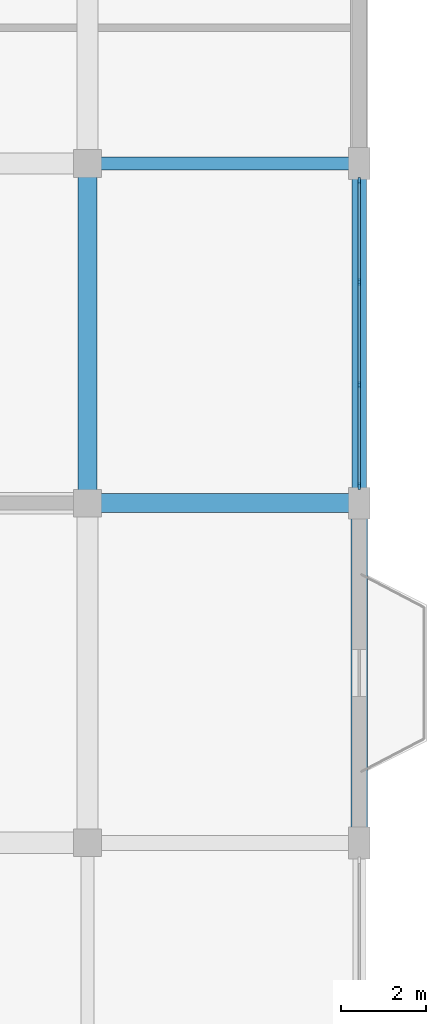
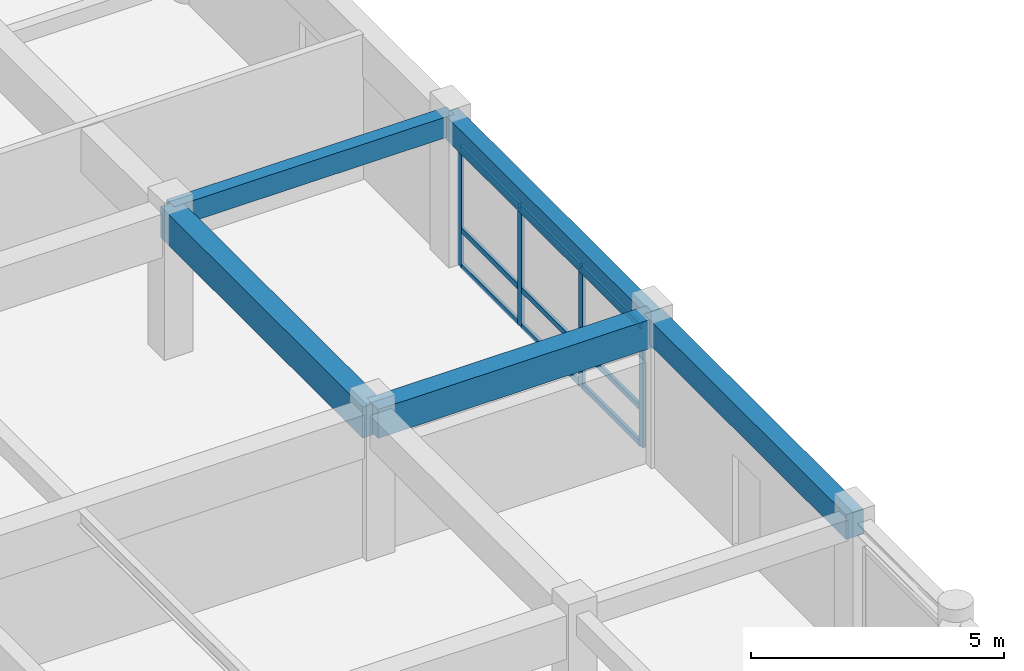
# One storey, part 5 of 13: 13 members, 5 beams, 1 element without a shape of its own.
"""IFC4 building model written with IfcOpenShell, lengths in metres."""

from ifc_helpers import new_model, si_unit, direction, frame, origin, origin_2d, place, context, subcontext, project, spatial, rectangle, extrude, material, material_profile, profile_set, type_object, element, aggregate, save


model = new_model("IFC4")

# Units and contexts
model_context = context("Model", 3, precision=1e-05, world=origin(), true_north=direction((0.0, 1.0)))
body_context = subcontext(model_context, "Body", "Model", "MODEL_VIEW")
ifc_project = project(units=[si_unit("LENGTHUNIT", "METRE"), si_unit("AREAUNIT", "SQUARE_METRE"), si_unit("VOLUMEUNIT", "CUBIC_METRE"), si_unit("PLANEANGLEUNIT", "RADIAN"), si_unit("MASSUNIT", "GRAM", prefix="KILO")], contexts=[model_context])

# Site, building, storey
site_placement = place(None, origin())
site = spatial("IfcSite", under=ifc_project, at=site_placement, CompositionType="ELEMENT")
building_placement = place(site_placement, origin())
building = spatial("IfcBuilding", under=site, at=building_placement, Name="Vellmiral Cinema and Media Centre", CompositionType="ELEMENT")
storey_placement = place(building_placement, frame((0.0, 0.0, 43.300048828125)))
storey = spatial("IfcBuildingStorey", under=building, at=storey_placement, Name="L10", CompositionType="ELEMENT", Elevation=43.300048828125)

# Beams
ifc_material_1 = material(Name="Concrete C40/50", Category="concrete")
ifc_material_profile_1 = material_profile(ifc_material_1, rectangle(XDim=0.300048828125, YDim=0.5, at=origin_2d()), Name="RC 300x500")
ifc_profile_set_1 = profile_set([ifc_material_profile_1], Name="Concrete C40/50")
beam_type_1 = type_object("IfcBeamType", Name="BM-RC-300x500", PredefinedType="BEAM", material=ifc_profile_set_1)
beam_1_placement = place(storey_placement, frame((161.60009765625, 95.199951171875, 3.244873046875), z_axis=(1.0, 0.0, 0.0), x_axis=(0.0, 1.0, 0.0)))
element("IfcBeam", 1, at=beam_1_placement, inside=storey, type_object=beam_type_1, Name="Grid Beam L10-X030", PredefinedType="BEAM", context=body_context, shape_type="SweptSolid", body=[
    extrude(rectangle(XDim=0.300048828125, YDim=0.5, at=origin_2d()), origin(), (0.0, 0.0, 1.0), 6.39990234375),
])
ifc_material_2 = material(Name="Concrete C40/50", Category="concrete")
ifc_material_profile_2 = material_profile(ifc_material_2, rectangle(XDim=0.449951171875, YDim=0.699951171875, at=origin_2d()), Name="RC 450x700")
ifc_profile_set_2 = profile_set([ifc_material_profile_2], Name="Concrete C40/50")
beam_type_2 = type_object("IfcBeamType", Name="BM-RC-450x700", PredefinedType="BEAM", material=ifc_profile_set_2)
beam_2_placement = place(storey_placement, frame((161.60009765625, 87.199951171875, 3.14501953125), z_axis=(1.0, 0.0, 0.0), x_axis=(0.0, 1.0, 0.0)))
element("IfcBeam", 2, at=beam_2_placement, inside=storey, type_object=beam_type_2, Name="Grid Beam L10-X024", PredefinedType="BEAM", context=body_context, shape_type="SweptSolid", body=[
    extrude(rectangle(XDim=0.449951171875, YDim=0.699951171875, at=origin_2d()), origin(), (0.0, 0.0, 1.0), 6.39990234375),
])
ifc_material_3 = material(Name="Concrete C40/50", Category="concrete")
ifc_material_profile_3 = material_profile(ifc_material_3, rectangle(XDim=0.449951171875, YDim=0.75, at=origin_2d()), Name="RC 450x750")
ifc_profile_set_3 = profile_set([ifc_material_profile_3], Name="Concrete C40/50")
beam_type_3 = type_object("IfcBeamType", Name="BM-RC-450x750", PredefinedType="BEAM", material=ifc_profile_set_3)
beam_3_placement = place(storey_placement, frame((161.60009765625, 87.199951171875, 3.119873046875), z_axis=(0.0, 1.0, 0.0), x_axis=(-1.0, 0.0, 0.0)))
element("IfcBeam", 3, at=beam_3_placement, inside=storey, type_object=beam_type_3, Name="Grid Beam L10-Y075", PredefinedType="BEAM", context=body_context, shape_type="SweptSolid", body=[
    extrude(rectangle(XDim=0.449951171875, YDim=0.75, at=origin_2d()), origin(), (0.0, 0.0, 1.0), 8.0),
])

# Curtain wall, members
ifc_material_4 = material(Name="Thermally Broken Aluminium and Triple Glazing", Category="aluminium")
curtain_wall_type = type_object("IfcCurtainWallType", Name="CW-TOWER-MID-E", PredefinedType="USERDEFINED", material=ifc_material_4)
curtain_wall_placement = place(storey_placement, origin())
curtain_wall = element("IfcCurtainWall", 4, at=curtain_wall_placement, inside=storey, type_object=curtain_wall_type, Name="Curtain Wall L10-B011", ObjectType="UNITISED CURTAIN WALL", PredefinedType="USERDEFINED")
ifc_material_5 = material(Name="Thermally Broken Anodised Aluminium", Category="aluminium")
ifc_material_profile_4 = material_profile(ifc_material_5, rectangle(XDim=0.06494140625, YDim=0.159912109375, at=origin_2d()), Name="MULL 65x160")
ifc_profile_set_4 = profile_set([ifc_material_profile_4], Name="Thermally Broken Anodised Aluminium")
member_type_1 = type_object("IfcMemberType", Name="CWM-65x160", PredefinedType="MULLION", material=ifc_profile_set_4)
member_1_placement = place(storey_placement, frame((168.0, 87.607421875, 0.0), z_axis=(0.0, 0.0, 1.0), x_axis=(-1.0, 0.0, 0.0)))
member_1 = element("IfcMember", 5, at=member_1_placement, type_object=member_type_1, Name="CW-07 mullion 1", PredefinedType="MULLION", context=body_context, shape_type="SweptSolid", body=[
    extrude(rectangle(XDim=0.06494140625, YDim=0.159912109375, at=origin_2d()), origin(), (0.0, 0.0, 1.0), 2.89990234375),
])
member_2_placement = place(storey_placement, frame((168.0, 89.99169921875, 0.0), z_axis=(0.0, 0.0, 1.0), x_axis=(-1.0, 0.0, 0.0)))
member_2 = element("IfcMember", 6, at=member_2_placement, type_object=member_type_1, Name="CW-07 mullion 2", PredefinedType="MULLION", context=body_context, shape_type="SweptSolid", body=[
    extrude(rectangle(XDim=0.06494140625, YDim=0.159912109375, at=origin_2d()), origin(), (0.0, 0.0, 1.0), 2.89990234375),
])
member_3_placement = place(storey_placement, frame((168.0, 92.408447265625, 0.0), z_axis=(0.0, 0.0, 1.0), x_axis=(-1.0, 0.0, 0.0)))
member_3 = element("IfcMember", 7, at=member_3_placement, type_object=member_type_1, Name="CW-07 mullion 3", PredefinedType="MULLION", context=body_context, shape_type="SweptSolid", body=[
    extrude(rectangle(XDim=0.06494140625, YDim=0.159912109375, at=origin_2d()), origin(), (0.0, 0.0, 1.0), 2.89990234375),
])
member_4_placement = place(storey_placement, frame((168.0, 94.79248046875, 0.0), z_axis=(0.0, 0.0, 1.0), x_axis=(-1.0, 0.0, 0.0)))
member_4 = element("IfcMember", 8, at=member_4_placement, type_object=member_type_1, Name="CW-07 mullion 4", PredefinedType="MULLION", context=body_context, shape_type="SweptSolid", body=[
    extrude(rectangle(XDim=0.06494140625, YDim=0.159912109375, at=origin_2d()), origin(), (0.0, 0.0, 1.0), 2.89990234375),
])
ifc_material_6 = material(Name="Thermally Broken Anodised Aluminium", Category="aluminium")
ifc_material_profile_5 = material_profile(ifc_material_6, rectangle(XDim=0.06494140625, YDim=0.135009765625, at=origin_2d()), Name="MULL 65x135")
ifc_profile_set_5 = profile_set([ifc_material_profile_5], Name="Thermally Broken Anodised Aluminium")
member_type_2 = type_object("IfcMemberType", Name="CWT-65x135", PredefinedType="USERDEFINED", material=ifc_profile_set_5)
member_5_placement = place(storey_placement, frame((168.0, 87.639892578125, 0.032470703125), z_axis=(0.0, 1.0, 0.0), x_axis=(-1.0, 0.0, 0.0)))
member_5 = element("IfcMember", 9, at=member_5_placement, type_object=member_type_2, Name="CW-07 transom 1.1", ObjectType="TRANSOM", PredefinedType="USERDEFINED", context=body_context, shape_type="SweptSolid", body=[
    extrude(rectangle(XDim=0.06494140625, YDim=0.135009765625, at=origin_2d()), origin(), (0.0, 0.0, 1.0), 2.3193359375),
])
member_6_placement = place(storey_placement, frame((168.0, 87.639892578125, 0.89990234375), z_axis=(0.0, 1.0, 0.0), x_axis=(-1.0, 0.0, 0.0)))
member_6 = element("IfcMember", 10, at=member_6_placement, type_object=member_type_2, Name="CW-07 transom 1.2", ObjectType="TRANSOM", PredefinedType="USERDEFINED", context=body_context, shape_type="SweptSolid", body=[
    extrude(rectangle(XDim=0.06494140625, YDim=0.135009765625, at=origin_2d()), origin(), (0.0, 0.0, 1.0), 2.3193359375),
])
member_7_placement = place(storey_placement, frame((168.0, 87.639892578125, 2.867431640625), z_axis=(0.0, 1.0, 0.0), x_axis=(-1.0, 0.0, 0.0)))
member_7 = element("IfcMember", 11, at=member_7_placement, type_object=member_type_2, Name="CW-07 transom 1.3", ObjectType="TRANSOM", PredefinedType="USERDEFINED", context=body_context, shape_type="SweptSolid", body=[
    extrude(rectangle(XDim=0.06494140625, YDim=0.135009765625, at=origin_2d()), origin(), (0.0, 0.0, 1.0), 2.3193359375),
])
member_8_placement = place(storey_placement, frame((168.0, 90.024169921875, 0.032470703125), z_axis=(0.0, 1.0, 0.0), x_axis=(-1.0, 0.0, 0.0)))
member_8 = element("IfcMember", 12, at=member_8_placement, type_object=member_type_2, Name="CW-07 transom 2.1", ObjectType="TRANSOM", PredefinedType="USERDEFINED", context=body_context, shape_type="SweptSolid", body=[
    extrude(rectangle(XDim=0.06494140625, YDim=0.135009765625, at=origin_2d()), origin(), (0.0, 0.0, 1.0), 2.3515625),
])
member_9_placement = place(storey_placement, frame((168.0, 90.024169921875, 0.89990234375), z_axis=(0.0, 1.0, 0.0), x_axis=(-1.0, 0.0, 0.0)))
member_9 = element("IfcMember", 13, at=member_9_placement, type_object=member_type_2, Name="CW-07 transom 2.2", ObjectType="TRANSOM", PredefinedType="USERDEFINED", context=body_context, shape_type="SweptSolid", body=[
    extrude(rectangle(XDim=0.06494140625, YDim=0.135009765625, at=origin_2d()), origin(), (0.0, 0.0, 1.0), 2.3515625),
])
member_10_placement = place(storey_placement, frame((168.0, 90.024169921875, 2.867431640625), z_axis=(0.0, 1.0, 0.0), x_axis=(-1.0, 0.0, 0.0)))
member_10 = element("IfcMember", 14, at=member_10_placement, type_object=member_type_2, Name="CW-07 transom 2.3", ObjectType="TRANSOM", PredefinedType="USERDEFINED", context=body_context, shape_type="SweptSolid", body=[
    extrude(rectangle(XDim=0.06494140625, YDim=0.135009765625, at=origin_2d()), origin(), (0.0, 0.0, 1.0), 2.3515625),
])
member_11_placement = place(storey_placement, frame((168.0, 92.44091796875, 0.032470703125), z_axis=(0.0, 1.0, 0.0), x_axis=(-1.0, 0.0, 0.0)))
member_11 = element("IfcMember", 15, at=member_11_placement, type_object=member_type_2, Name="CW-07 transom 3.1", ObjectType="TRANSOM", PredefinedType="USERDEFINED", context=body_context, shape_type="SweptSolid", body=[
    extrude(rectangle(XDim=0.06494140625, YDim=0.135009765625, at=origin_2d()), origin(), (0.0, 0.0, 1.0), 2.319091796875),
])
member_12_placement = place(storey_placement, frame((168.0, 92.44091796875, 0.89990234375), z_axis=(0.0, 1.0, 0.0), x_axis=(-1.0, 0.0, 0.0)))
member_12 = element("IfcMember", 16, at=member_12_placement, type_object=member_type_2, Name="CW-07 transom 3.2", ObjectType="TRANSOM", PredefinedType="USERDEFINED", context=body_context, shape_type="SweptSolid", body=[
    extrude(rectangle(XDim=0.06494140625, YDim=0.135009765625, at=origin_2d()), origin(), (0.0, 0.0, 1.0), 2.319091796875),
])
member_13_placement = place(storey_placement, frame((168.0, 92.44091796875, 2.867431640625), z_axis=(0.0, 1.0, 0.0), x_axis=(-1.0, 0.0, 0.0)))
member_13 = element("IfcMember", 17, at=member_13_placement, type_object=member_type_2, Name="CW-07 transom 3.3", ObjectType="TRANSOM", PredefinedType="USERDEFINED", context=body_context, shape_type="SweptSolid", body=[
    extrude(rectangle(XDim=0.06494140625, YDim=0.135009765625, at=origin_2d()), origin(), (0.0, 0.0, 1.0), 2.319091796875),
])
aggregate(curtain_wall, [member_1, member_2, member_3, member_4, member_5, member_6, member_7, member_8, member_9, member_10, member_11, member_12, member_13])

# Beams
ifc_material_7 = material(Name="Concrete C40/50", Category="concrete")
ifc_material_profile_6 = material_profile(ifc_material_7, rectangle(XDim=0.35009765625, YDim=0.56005859375, at=origin_2d()), Name="RC 350x560")
ifc_profile_set_6 = profile_set([ifc_material_profile_6], Name="Concrete C40/50")
beam_type_4 = type_object("IfcBeamType", Name="SPD-RC-350x560", PredefinedType="SPANDREL", material=ifc_profile_set_6)
beam_4_placement = place(storey_placement, frame((168.0, 87.199951171875, 3.21484375), z_axis=(0.0, 1.0, 0.0), x_axis=(-1.0, 0.0, 0.0)))
element("IfcBeam", 18, at=beam_4_placement, inside=storey, type_object=beam_type_4, Name="Grid Beam L10-Y081", PredefinedType="SPANDREL", context=body_context, shape_type="SweptSolid", body=[
    extrude(rectangle(XDim=0.35009765625, YDim=0.56005859375, at=origin_2d()), origin(), (0.0, 0.0, 1.0), 8.0),
])
ifc_material_8 = material(Name="Concrete C40/50", Category="concrete")
ifc_material_profile_7 = material_profile(ifc_material_8, rectangle(XDim=0.39990234375, YDim=0.60009765625, at=origin_2d()), Name="RC 400x600")
ifc_profile_set_7 = profile_set([ifc_material_profile_7], Name="Concrete C40/50")
beam_type_5 = type_object("IfcBeamType", Name="SPD-RC-400x600", PredefinedType="SPANDREL", material=ifc_profile_set_7)
beam_5_placement = place(storey_placement, frame((168.0, 79.199951171875, 3.195068359375), z_axis=(0.0, 1.0, 0.0), x_axis=(-1.0, 0.0, 0.0)))
element("IfcBeam", 19, at=beam_5_placement, inside=storey, type_object=beam_type_5, Name="Grid Beam L10-Y080", PredefinedType="SPANDREL", context=body_context, shape_type="SweptSolid", body=[
    extrude(rectangle(XDim=0.39990234375, YDim=0.60009765625, at=origin_2d()), origin(), (0.0, 0.0, 1.0), 8.0),
])

save(model, "model.ifc")
